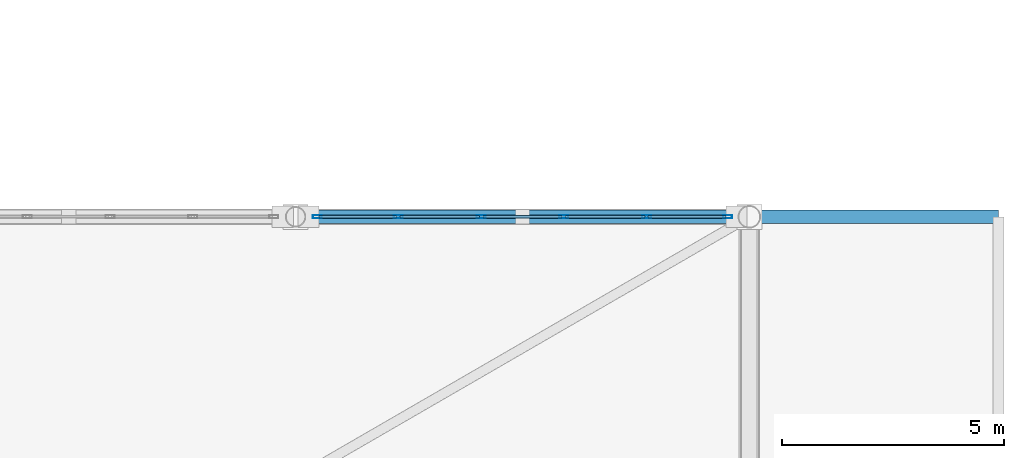
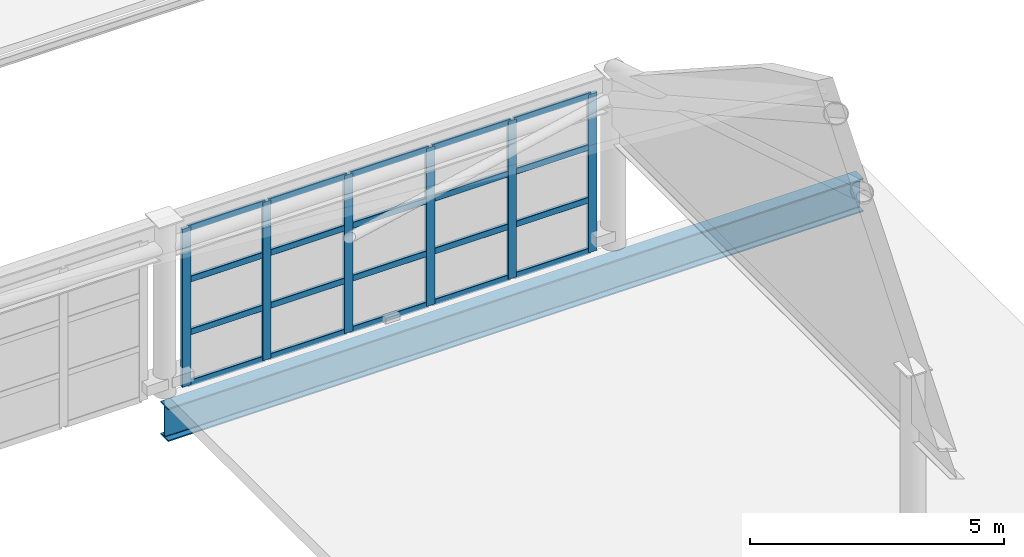
# One storey, part 82 of 135: 26 members, 1 beam, 1 element without a shape of its own.
"""IFC4 building model written with IfcOpenShell, lengths in metres."""

from ifc_helpers import new_model, si_unit, direction, frame, origin, origin_2d, place, context, subcontext, project, spatial, hollow_rectangle, i_section, extrude, material, material_profile, profile_set, type_object, element, aggregate, save


model = new_model("IFC4")

# Units and contexts
model_context = context("Model", 3, precision=1e-05, world=origin(), true_north=direction((0.0, 1.0)))
body_context = subcontext(model_context, "Body", "Model", "MODEL_VIEW")
ifc_project = project(units=[si_unit("LENGTHUNIT", "METRE"), si_unit("AREAUNIT", "SQUARE_METRE"), si_unit("VOLUMEUNIT", "CUBIC_METRE"), si_unit("PLANEANGLEUNIT", "RADIAN"), si_unit("MASSUNIT", "GRAM", prefix="KILO")], contexts=[model_context])

# Site, building, storey
site_placement = place(None, origin())
site = spatial("IfcSite", under=ifc_project, at=site_placement, CompositionType="ELEMENT")
building_placement = place(site_placement, origin())
building = spatial("IfcBuilding", under=site, at=building_placement, Name="Brelvane Convention Centre", CompositionType="ELEMENT")
storey_placement = place(building_placement, frame((0.0, 0.0, 15.0)))
storey = spatial("IfcBuildingStorey", under=building, at=storey_placement, Name="L03", CompositionType="ELEMENT", Elevation=15.0)

# Curtain wall, members
ifc_material_1 = material(Name="Anodised Aluminium Alloy 6063-T6", Category="aluminium")
curtain_wall_type = type_object("IfcCurtainWallType", Name="Curtain Wall CW-PLEN-E", PredefinedType="USERDEFINED", material=ifc_material_1)
curtain_wall_placement = place(storey_placement, origin())
curtain_wall = element("IfcCurtainWall", 1, at=curtain_wall_placement, inside=storey, type_object=curtain_wall_type, Name="Curtain Wall CW-PLEN-E L03-PLEN-N-CLER-6", ObjectType="UNITISED", PredefinedType="USERDEFINED")
ifc_material_2 = material(Name="Anodised Aluminium Alloy 6063-T6", Category="aluminium")
ifc_material_profile_1 = material_profile(ifc_material_2, hollow_rectangle(XDim=0.074951171875, YDim=0.199951171875, WallThickness=0.0048828125, InnerFilletRadius=0.0048828125, OuterFilletRadius=0.010009765625, at=origin_2d()), Name="ALU-M 200x75x5.0")
ifc_profile_set_1 = profile_set([ifc_material_profile_1], Name="Anodised Aluminium Alloy 6063-T6")
member_type_1 = type_object("IfcMemberType", Name="Curtain Mullion CW-M2", PredefinedType="MULLION", material=ifc_profile_set_1)
member_1_placement = place(storey_placement, frame((214.6875, 87.800048828125, 0.0), z_axis=(0.0, 0.0, 1.0), x_axis=(0.0, 1.0, 0.0)))
member_1 = element("IfcMember", 2, at=member_1_placement, type_object=member_type_1, Name="CW-PLEN-E mullion 1", PredefinedType="MULLION", context=body_context, shape_type="SweptSolid", body=[
    extrude(hollow_rectangle(XDim=0.074951171875, YDim=0.199951171875, WallThickness=0.0048828125, InnerFilletRadius=0.0048828125, OuterFilletRadius=0.010009765625, at=origin_2d()), origin(), (0.0, 0.0, 1.0), 3.800048828125),
])
member_2_placement = place(storey_placement, frame((216.510009765625, 87.800048828125, 0.0), z_axis=(0.0, 0.0, 1.0), x_axis=(0.0, 1.0, 0.0)))
member_2 = element("IfcMember", 3, at=member_2_placement, type_object=member_type_1, Name="CW-PLEN-E mullion 2", PredefinedType="MULLION", context=body_context, shape_type="SweptSolid", body=[
    extrude(hollow_rectangle(XDim=0.074951171875, YDim=0.199951171875, WallThickness=0.0048828125, InnerFilletRadius=0.0048828125, OuterFilletRadius=0.010009765625, at=origin_2d()), origin(), (0.0, 0.0, 1.0), 3.800048828125),
])
member_3_placement = place(storey_placement, frame((218.3701171875, 87.800048828125, 0.0), z_axis=(0.0, 0.0, 1.0), x_axis=(0.0, 1.0, 0.0)))
member_3 = element("IfcMember", 4, at=member_3_placement, type_object=member_type_1, Name="CW-PLEN-E mullion 3", PredefinedType="MULLION", context=body_context, shape_type="SweptSolid", body=[
    extrude(hollow_rectangle(XDim=0.074951171875, YDim=0.199951171875, WallThickness=0.0048828125, InnerFilletRadius=0.0048828125, OuterFilletRadius=0.010009765625, at=origin_2d()), origin(), (0.0, 0.0, 1.0), 3.800048828125),
])
member_4_placement = place(storey_placement, frame((220.22998046875, 87.800048828125, 0.0), z_axis=(0.0, 0.0, 1.0), x_axis=(0.0, 1.0, 0.0)))
member_4 = element("IfcMember", 5, at=member_4_placement, type_object=member_type_1, Name="CW-PLEN-E mullion 4", PredefinedType="MULLION", context=body_context, shape_type="SweptSolid", body=[
    extrude(hollow_rectangle(XDim=0.074951171875, YDim=0.199951171875, WallThickness=0.0048828125, InnerFilletRadius=0.0048828125, OuterFilletRadius=0.010009765625, at=origin_2d()), origin(), (0.0, 0.0, 1.0), 3.800048828125),
])
member_5_placement = place(storey_placement, frame((222.090087890625, 87.800048828125, 0.0), z_axis=(0.0, 0.0, 1.0), x_axis=(0.0, 1.0, 0.0)))
member_5 = element("IfcMember", 6, at=member_5_placement, type_object=member_type_1, Name="CW-PLEN-E mullion 5", PredefinedType="MULLION", context=body_context, shape_type="SweptSolid", body=[
    extrude(hollow_rectangle(XDim=0.074951171875, YDim=0.199951171875, WallThickness=0.0048828125, InnerFilletRadius=0.0048828125, OuterFilletRadius=0.010009765625, at=origin_2d()), origin(), (0.0, 0.0, 1.0), 3.800048828125),
])
member_6_placement = place(storey_placement, frame((223.91259765625, 87.800048828125, 0.0), z_axis=(0.0, 0.0, 1.0), x_axis=(0.0, 1.0, 0.0)))
member_6 = element("IfcMember", 7, at=member_6_placement, type_object=member_type_1, Name="CW-PLEN-E mullion 6", PredefinedType="MULLION", context=body_context, shape_type="SweptSolid", body=[
    extrude(hollow_rectangle(XDim=0.074951171875, YDim=0.199951171875, WallThickness=0.0048828125, InnerFilletRadius=0.0048828125, OuterFilletRadius=0.010009765625, at=origin_2d()), origin(), (0.0, 0.0, 1.0), 3.800048828125),
])
ifc_material_3 = material(Name="Anodised Aluminium Alloy 6063-T6", Category="aluminium")
ifc_material_profile_2 = material_profile(ifc_material_3, hollow_rectangle(XDim=0.070068359375, YDim=0.14990234375, WallThickness=0.00439453125, InnerFilletRadius=0.00439453125, OuterFilletRadius=0.009033203125, at=origin_2d()), Name="ALU-T 150x70x4.5")
ifc_profile_set_2 = profile_set([ifc_material_profile_2], Name="Anodised Aluminium Alloy 6063-T6")
member_type_2 = type_object("IfcMemberType", Name="Curtain Transom CW-T2", PredefinedType="USERDEFINED", material=ifc_profile_set_2)
member_7_placement = place(storey_placement, frame((214.72509765625, 87.800048828125, 0.034912109375), z_axis=(1.0, 0.0, 0.0), x_axis=(0.0, 1.0, 0.0)))
member_7 = element("IfcMember", 8, at=member_7_placement, type_object=member_type_2, Name="CW-PLEN-E transom 1.1", ObjectType="TRANSOM", PredefinedType="USERDEFINED", context=body_context, shape_type="SweptSolid", body=[
    extrude(hollow_rectangle(XDim=0.070068359375, YDim=0.14990234375, WallThickness=0.00439453125, InnerFilletRadius=0.00439453125, OuterFilletRadius=0.009033203125, at=origin_2d()), origin(), (0.0, 0.0, 1.0), 1.747314453125),
])
member_8_placement = place(storey_placement, frame((214.72509765625, 87.800048828125, 1.2666015625), z_axis=(1.0, 0.0, 0.0), x_axis=(0.0, 1.0, 0.0)))
member_8 = element("IfcMember", 9, at=member_8_placement, type_object=member_type_2, Name="CW-PLEN-E transom 1.2", ObjectType="TRANSOM", PredefinedType="USERDEFINED", context=body_context, shape_type="SweptSolid", body=[
    extrude(hollow_rectangle(XDim=0.070068359375, YDim=0.14990234375, WallThickness=0.00439453125, InnerFilletRadius=0.00439453125, OuterFilletRadius=0.009033203125, at=origin_2d()), origin(), (0.0, 0.0, 1.0), 1.747314453125),
])
member_9_placement = place(storey_placement, frame((214.72509765625, 87.800048828125, 2.533203125), z_axis=(1.0, 0.0, 0.0), x_axis=(0.0, 1.0, 0.0)))
member_9 = element("IfcMember", 10, at=member_9_placement, type_object=member_type_2, Name="CW-PLEN-E transom 1.3", ObjectType="TRANSOM", PredefinedType="USERDEFINED", context=body_context, shape_type="SweptSolid", body=[
    extrude(hollow_rectangle(XDim=0.070068359375, YDim=0.14990234375, WallThickness=0.00439453125, InnerFilletRadius=0.00439453125, OuterFilletRadius=0.009033203125, at=origin_2d()), origin(), (0.0, 0.0, 1.0), 1.747314453125),
])
member_10_placement = place(storey_placement, frame((214.72509765625, 87.800048828125, 3.764892578125), z_axis=(1.0, 0.0, 0.0), x_axis=(0.0, 1.0, 0.0)))
member_10 = element("IfcMember", 11, at=member_10_placement, type_object=member_type_2, Name="CW-PLEN-E transom 1.4", ObjectType="TRANSOM", PredefinedType="USERDEFINED", context=body_context, shape_type="SweptSolid", body=[
    extrude(hollow_rectangle(XDim=0.070068359375, YDim=0.14990234375, WallThickness=0.00439453125, InnerFilletRadius=0.00439453125, OuterFilletRadius=0.009033203125, at=origin_2d()), origin(), (0.0, 0.0, 1.0), 1.747314453125),
])
member_11_placement = place(storey_placement, frame((216.547607421875, 87.800048828125, 0.034912109375), z_axis=(1.0, 0.0, 0.0), x_axis=(0.0, 1.0, 0.0)))
member_11 = element("IfcMember", 12, at=member_11_placement, type_object=member_type_2, Name="CW-PLEN-E transom 2.1", ObjectType="TRANSOM", PredefinedType="USERDEFINED", context=body_context, shape_type="SweptSolid", body=[
    extrude(hollow_rectangle(XDim=0.070068359375, YDim=0.14990234375, WallThickness=0.00439453125, InnerFilletRadius=0.00439453125, OuterFilletRadius=0.009033203125, at=origin_2d()), origin(), (0.0, 0.0, 1.0), 1.784912109375),
])
member_12_placement = place(storey_placement, frame((216.547607421875, 87.800048828125, 1.2666015625), z_axis=(1.0, 0.0, 0.0), x_axis=(0.0, 1.0, 0.0)))
member_12 = element("IfcMember", 13, at=member_12_placement, type_object=member_type_2, Name="CW-PLEN-E transom 2.2", ObjectType="TRANSOM", PredefinedType="USERDEFINED", context=body_context, shape_type="SweptSolid", body=[
    extrude(hollow_rectangle(XDim=0.070068359375, YDim=0.14990234375, WallThickness=0.00439453125, InnerFilletRadius=0.00439453125, OuterFilletRadius=0.009033203125, at=origin_2d()), origin(), (0.0, 0.0, 1.0), 1.784912109375),
])
member_13_placement = place(storey_placement, frame((216.547607421875, 87.800048828125, 2.533203125), z_axis=(1.0, 0.0, 0.0), x_axis=(0.0, 1.0, 0.0)))
member_13 = element("IfcMember", 14, at=member_13_placement, type_object=member_type_2, Name="CW-PLEN-E transom 2.3", ObjectType="TRANSOM", PredefinedType="USERDEFINED", context=body_context, shape_type="SweptSolid", body=[
    extrude(hollow_rectangle(XDim=0.070068359375, YDim=0.14990234375, WallThickness=0.00439453125, InnerFilletRadius=0.00439453125, OuterFilletRadius=0.009033203125, at=origin_2d()), origin(), (0.0, 0.0, 1.0), 1.784912109375),
])
member_14_placement = place(storey_placement, frame((216.547607421875, 87.800048828125, 3.764892578125), z_axis=(1.0, 0.0, 0.0), x_axis=(0.0, 1.0, 0.0)))
member_14 = element("IfcMember", 15, at=member_14_placement, type_object=member_type_2, Name="CW-PLEN-E transom 2.4", ObjectType="TRANSOM", PredefinedType="USERDEFINED", context=body_context, shape_type="SweptSolid", body=[
    extrude(hollow_rectangle(XDim=0.070068359375, YDim=0.14990234375, WallThickness=0.00439453125, InnerFilletRadius=0.00439453125, OuterFilletRadius=0.009033203125, at=origin_2d()), origin(), (0.0, 0.0, 1.0), 1.784912109375),
])
member_15_placement = place(storey_placement, frame((218.407470703125, 87.800048828125, 0.034912109375), z_axis=(1.0, 0.0, 0.0), x_axis=(0.0, 1.0, 0.0)))
member_15 = element("IfcMember", 16, at=member_15_placement, type_object=member_type_2, Name="CW-PLEN-E transom 3.1", ObjectType="TRANSOM", PredefinedType="USERDEFINED", context=body_context, shape_type="SweptSolid", body=[
    extrude(hollow_rectangle(XDim=0.070068359375, YDim=0.14990234375, WallThickness=0.00439453125, InnerFilletRadius=0.00439453125, OuterFilletRadius=0.009033203125, at=origin_2d()), origin(), (0.0, 0.0, 1.0), 1.784912109375),
])
member_16_placement = place(storey_placement, frame((218.407470703125, 87.800048828125, 1.2666015625), z_axis=(1.0, 0.0, 0.0), x_axis=(0.0, 1.0, 0.0)))
member_16 = element("IfcMember", 17, at=member_16_placement, type_object=member_type_2, Name="CW-PLEN-E transom 3.2", ObjectType="TRANSOM", PredefinedType="USERDEFINED", context=body_context, shape_type="SweptSolid", body=[
    extrude(hollow_rectangle(XDim=0.070068359375, YDim=0.14990234375, WallThickness=0.00439453125, InnerFilletRadius=0.00439453125, OuterFilletRadius=0.009033203125, at=origin_2d()), origin(), (0.0, 0.0, 1.0), 1.784912109375),
])
member_17_placement = place(storey_placement, frame((218.407470703125, 87.800048828125, 2.533203125), z_axis=(1.0, 0.0, 0.0), x_axis=(0.0, 1.0, 0.0)))
member_17 = element("IfcMember", 18, at=member_17_placement, type_object=member_type_2, Name="CW-PLEN-E transom 3.3", ObjectType="TRANSOM", PredefinedType="USERDEFINED", context=body_context, shape_type="SweptSolid", body=[
    extrude(hollow_rectangle(XDim=0.070068359375, YDim=0.14990234375, WallThickness=0.00439453125, InnerFilletRadius=0.00439453125, OuterFilletRadius=0.009033203125, at=origin_2d()), origin(), (0.0, 0.0, 1.0), 1.784912109375),
])
member_18_placement = place(storey_placement, frame((218.407470703125, 87.800048828125, 3.764892578125), z_axis=(1.0, 0.0, 0.0), x_axis=(0.0, 1.0, 0.0)))
member_18 = element("IfcMember", 19, at=member_18_placement, type_object=member_type_2, Name="CW-PLEN-E transom 3.4", ObjectType="TRANSOM", PredefinedType="USERDEFINED", context=body_context, shape_type="SweptSolid", body=[
    extrude(hollow_rectangle(XDim=0.070068359375, YDim=0.14990234375, WallThickness=0.00439453125, InnerFilletRadius=0.00439453125, OuterFilletRadius=0.009033203125, at=origin_2d()), origin(), (0.0, 0.0, 1.0), 1.784912109375),
])
member_19_placement = place(storey_placement, frame((220.267578125, 87.800048828125, 0.034912109375), z_axis=(1.0, 0.0, 0.0), x_axis=(0.0, 1.0, 0.0)))
member_19 = element("IfcMember", 20, at=member_19_placement, type_object=member_type_2, Name="CW-PLEN-E transom 4.1", ObjectType="TRANSOM", PredefinedType="USERDEFINED", context=body_context, shape_type="SweptSolid", body=[
    extrude(hollow_rectangle(XDim=0.070068359375, YDim=0.14990234375, WallThickness=0.00439453125, InnerFilletRadius=0.00439453125, OuterFilletRadius=0.009033203125, at=origin_2d()), origin(), (0.0, 0.0, 1.0), 1.784912109375),
])
member_20_placement = place(storey_placement, frame((220.267578125, 87.800048828125, 1.2666015625), z_axis=(1.0, 0.0, 0.0), x_axis=(0.0, 1.0, 0.0)))
member_20 = element("IfcMember", 21, at=member_20_placement, type_object=member_type_2, Name="CW-PLEN-E transom 4.2", ObjectType="TRANSOM", PredefinedType="USERDEFINED", context=body_context, shape_type="SweptSolid", body=[
    extrude(hollow_rectangle(XDim=0.070068359375, YDim=0.14990234375, WallThickness=0.00439453125, InnerFilletRadius=0.00439453125, OuterFilletRadius=0.009033203125, at=origin_2d()), origin(), (0.0, 0.0, 1.0), 1.784912109375),
])
member_21_placement = place(storey_placement, frame((220.267578125, 87.800048828125, 2.533203125), z_axis=(1.0, 0.0, 0.0), x_axis=(0.0, 1.0, 0.0)))
member_21 = element("IfcMember", 22, at=member_21_placement, type_object=member_type_2, Name="CW-PLEN-E transom 4.3", ObjectType="TRANSOM", PredefinedType="USERDEFINED", context=body_context, shape_type="SweptSolid", body=[
    extrude(hollow_rectangle(XDim=0.070068359375, YDim=0.14990234375, WallThickness=0.00439453125, InnerFilletRadius=0.00439453125, OuterFilletRadius=0.009033203125, at=origin_2d()), origin(), (0.0, 0.0, 1.0), 1.784912109375),
])
member_22_placement = place(storey_placement, frame((220.267578125, 87.800048828125, 3.764892578125), z_axis=(1.0, 0.0, 0.0), x_axis=(0.0, 1.0, 0.0)))
member_22 = element("IfcMember", 23, at=member_22_placement, type_object=member_type_2, Name="CW-PLEN-E transom 4.4", ObjectType="TRANSOM", PredefinedType="USERDEFINED", context=body_context, shape_type="SweptSolid", body=[
    extrude(hollow_rectangle(XDim=0.070068359375, YDim=0.14990234375, WallThickness=0.00439453125, InnerFilletRadius=0.00439453125, OuterFilletRadius=0.009033203125, at=origin_2d()), origin(), (0.0, 0.0, 1.0), 1.784912109375),
])
member_23_placement = place(storey_placement, frame((222.12744140625, 87.800048828125, 0.034912109375), z_axis=(1.0, 0.0, 0.0), x_axis=(0.0, 1.0, 0.0)))
member_23 = element("IfcMember", 24, at=member_23_placement, type_object=member_type_2, Name="CW-PLEN-E transom 5.1", ObjectType="TRANSOM", PredefinedType="USERDEFINED", context=body_context, shape_type="SweptSolid", body=[
    extrude(hollow_rectangle(XDim=0.070068359375, YDim=0.14990234375, WallThickness=0.00439453125, InnerFilletRadius=0.00439453125, OuterFilletRadius=0.009033203125, at=origin_2d()), origin(), (0.0, 0.0, 1.0), 1.74755859375),
])
member_24_placement = place(storey_placement, frame((222.12744140625, 87.800048828125, 1.2666015625), z_axis=(1.0, 0.0, 0.0), x_axis=(0.0, 1.0, 0.0)))
member_24 = element("IfcMember", 25, at=member_24_placement, type_object=member_type_2, Name="CW-PLEN-E transom 5.2", ObjectType="TRANSOM", PredefinedType="USERDEFINED", context=body_context, shape_type="SweptSolid", body=[
    extrude(hollow_rectangle(XDim=0.070068359375, YDim=0.14990234375, WallThickness=0.00439453125, InnerFilletRadius=0.00439453125, OuterFilletRadius=0.009033203125, at=origin_2d()), origin(), (0.0, 0.0, 1.0), 1.74755859375),
])
member_25_placement = place(storey_placement, frame((222.12744140625, 87.800048828125, 2.533203125), z_axis=(1.0, 0.0, 0.0), x_axis=(0.0, 1.0, 0.0)))
member_25 = element("IfcMember", 26, at=member_25_placement, type_object=member_type_2, Name="CW-PLEN-E transom 5.3", ObjectType="TRANSOM", PredefinedType="USERDEFINED", context=body_context, shape_type="SweptSolid", body=[
    extrude(hollow_rectangle(XDim=0.070068359375, YDim=0.14990234375, WallThickness=0.00439453125, InnerFilletRadius=0.00439453125, OuterFilletRadius=0.009033203125, at=origin_2d()), origin(), (0.0, 0.0, 1.0), 1.74755859375),
])
member_26_placement = place(storey_placement, frame((222.12744140625, 87.800048828125, 3.764892578125), z_axis=(1.0, 0.0, 0.0), x_axis=(0.0, 1.0, 0.0)))
member_26 = element("IfcMember", 27, at=member_26_placement, type_object=member_type_2, Name="CW-PLEN-E transom 5.4", ObjectType="TRANSOM", PredefinedType="USERDEFINED", context=body_context, shape_type="SweptSolid", body=[
    extrude(hollow_rectangle(XDim=0.070068359375, YDim=0.14990234375, WallThickness=0.00439453125, InnerFilletRadius=0.00439453125, OuterFilletRadius=0.009033203125, at=origin_2d()), origin(), (0.0, 0.0, 1.0), 1.74755859375),
])
aggregate(curtain_wall, [member_1, member_2, member_3, member_4, member_5, member_6, member_7, member_8, member_9, member_10, member_11, member_12, member_13, member_14, member_15, member_16, member_17, member_18, member_19, member_20, member_21, member_22, member_23, member_24, member_25, member_26])

# Beam
ifc_material_4 = material(Name="Steel E450 (450 MPa)", Category="steel")
ifc_material_profile_3 = material_profile(ifc_material_4, i_section(OverallWidth=0.300048828125, OverallDepth=0.800048828125, WebThickness=0.015380859375, FlangeThickness=0.030029296875, FilletRadius=0.027099609375, at=origin_2d()), Name="NPB 800x300")
ifc_profile_set_3 = profile_set([ifc_material_profile_3], Name="Steel E450 (450 MPa)")
beam_type = type_object("IfcBeamType", Name="Steel Beam B-ST2 (NPB 800x300)", PredefinedType="BEAM", material=ifc_profile_set_3)
beam_placement = place(storey_placement, frame((214.199951171875, 87.800048828125, -0.699951171875), z_axis=(1.0, 0.0, 0.0), x_axis=(0.0, 1.0, 0.0)))
element("IfcBeam", 28, at=beam_placement, inside=storey, type_object=beam_type, Name="L03 Plenary East Cantilever Girder Y87", PredefinedType="BEAM", context=body_context, shape_type="SweptSolid", body=[
    extrude(i_section(OverallWidth=0.300048828125, OverallDepth=0.800048828125, WebThickness=0.015380859375, FlangeThickness=0.030029296875, FilletRadius=0.027099609375, at=origin_2d()), origin(), (0.0, 0.0, 1.0), 15.800048828125),
])

save(model, "model.ifc")
